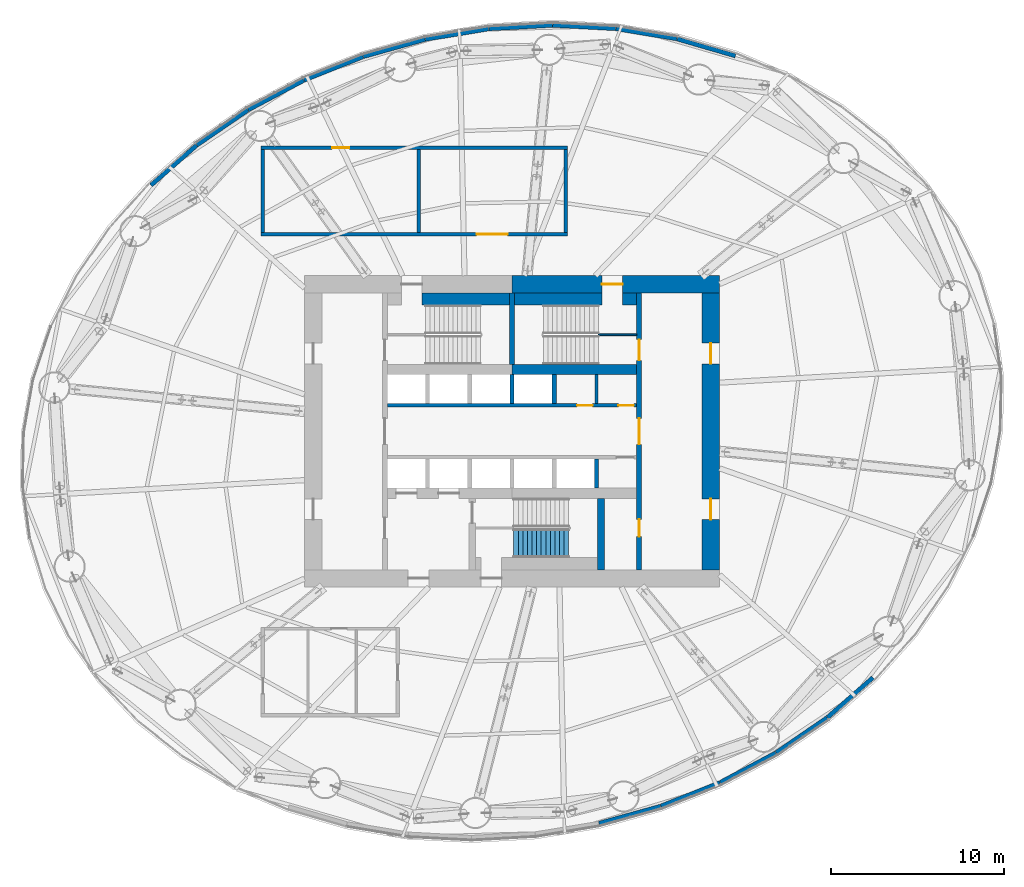
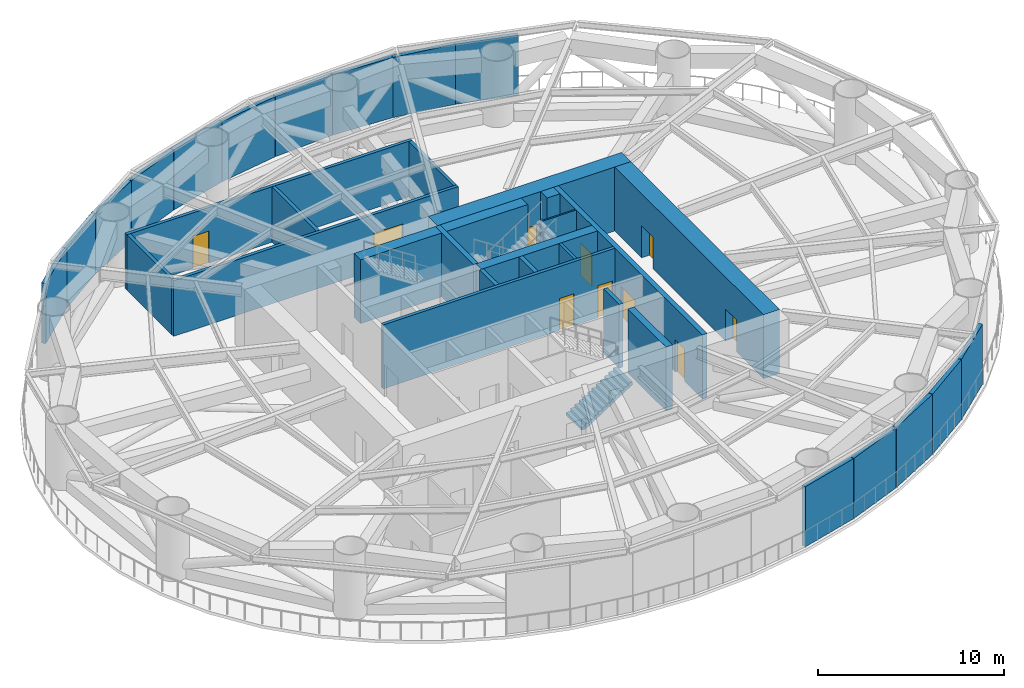
# One storey, part 6 of 15: 35 walls, 10 doors, 1 stair flight, 10 openings, 1 element without a shape of its own.
"""IFC4 building model written with IfcOpenShell, lengths in metres."""

import ifcopenshell
import ifcopenshell.guid

model = None  # the IFC model being written
_history = None  # IfcOwnerHistory: only IFC2X3 demands one
_inside = {}  # id of a spatial element -> (the spatial element, [elements in it])
_under = {}  # id of a project, library or spatial element -> (it, [spatial elements below it])
_declared = {}  # id of a project -> (the project, [libraries it declares])
_typed = {}  # id of a type object -> (the type object, [elements of that type])
_made_of = {}  # id of a material, layer set ... -> (it, [elements and type objects made of it])


def new_model(schema):
    """Start an empty IFC model of exactly this schema.

    Asked for "IFC4X3", IfcOpenShell would pick the latest addendum, in which some entities
    have other attributes; the version numbers below select the first issue.
    IFC2X3 requires an IfcOwnerHistory on every rooted entity: one is made here for all.
    """
    global model, _history
    if schema == "IFC4X3":
        model = ifcopenshell.file(schema_version=(4, 3, 0, 0))
    else:
        model = ifcopenshell.file(schema=schema)
    _inside.clear()
    _under.clear()
    _declared.clear()
    _typed.clear()
    _made_of.clear()
    _history = None
    if model.schema == "IFC2X3":
        org = make("IfcOrganization", Name="unknown")
        user = make(
            "IfcPersonAndOrganization",
            ThePerson=make("IfcPerson", FamilyName="unknown"),
            TheOrganization=org,
        )
        app = make(
            "IfcApplication",
            ApplicationDeveloper=org,
            Version="unknown",
            ApplicationFullName="unknown",
            ApplicationIdentifier="unknown",
        )
        _history = make(
            "IfcOwnerHistory",
            OwningUser=user,
            OwningApplication=app,
            ChangeAction="ADDED",
            CreationDate=0,
        )
    return model


def make(cls, **values):
    """One entity of the class cls with the attributes given. An attribute that is None is left unset."""
    return model.create_entity(
        cls, **{name: value for name, value in values.items() if value is not None}
    )


def rooted(cls, **values):
    """An entity with a GlobalId (a new one), such as an element, a storey or a relation."""
    return make(cls, GlobalId=ifcopenshell.guid.new(), OwnerHistory=_history, **values)


def si_unit(unit_type, name, prefix=None):
    """IfcSIUnit, for example si_unit("LENGTHUNIT", "METRE", prefix="MILLI")."""
    return make("IfcSIUnit", UnitType=unit_type, Prefix=prefix, Name=name)


def assignment(units):
    """IfcUnitAssignment: the units of a project."""
    return None if units is None else make("IfcUnitAssignment", Units=units)


def point(xyz):
    """IfcCartesianPoint."""
    return None if xyz is None else make("IfcCartesianPoint", Coordinates=xyz)


def direction(xyz):
    """IfcDirection."""
    return None if xyz is None else make("IfcDirection", DirectionRatios=xyz)


def frame(location, z_axis=None, x_axis=None):
    """IfcAxis2Placement3D, a coordinate frame: its origin and axes. An axis left out is left unset."""
    return make(
        "IfcAxis2Placement3D",
        Location=point(location),
        Axis=direction(z_axis),
        RefDirection=direction(x_axis),
    )


def frame_2d(location, x_axis=None):
    """IfcAxis2Placement2D, a coordinate frame in the plane: its origin and x axis."""
    return make(
        "IfcAxis2Placement2D", Location=point(location), RefDirection=direction(x_axis)
    )


def origin():
    """The frame at (0, 0, 0) with its axes left unset."""
    return frame((0.0, 0.0, 0.0))


def place(relative_to, where):
    """IfcLocalPlacement: puts the frame where relative to a parent placement (None: the world)."""
    return make(
        "IfcLocalPlacement", PlacementRelTo=relative_to, RelativePlacement=where
    )


def context(
    kind, dimensions, precision=None, world=None, true_north=None, identifier=None
):
    """IfcGeometricRepresentationContext, for example the 3D "Model" context."""
    return make(
        "IfcGeometricRepresentationContext",
        ContextIdentifier=identifier,
        ContextType=kind,
        CoordinateSpaceDimension=dimensions,
        Precision=precision,
        WorldCoordinateSystem=world,
        TrueNorth=true_north,
    )


def subcontext(parent, identifier, kind, view, scale=None):
    """IfcGeometricRepresentationSubContext, for example "Body" below "Model"."""
    return make(
        "IfcGeometricRepresentationSubContext",
        ContextIdentifier=identifier,
        ContextType=kind,
        ParentContext=parent,
        TargetScale=scale,
        TargetView=view,
    )


def project(units=None, contexts=None):
    """IfcProject with its units and contexts."""
    return rooted(
        "IfcProject",
        Name="project",
        RepresentationContexts=contexts,
        UnitsInContext=assignment(units),
    )


def spatial(cls, under=None, at=None, **own):
    """A site, building, storey or space (cls), placed at a placement, below another one or the project."""
    s = rooted(cls, ObjectPlacement=at, **own)
    if under is not None:
        _under.setdefault(under.id(), (under, []))[1].append(s)
    return s


def polyline(points):
    """IfcPolyline through the points."""
    return make("IfcPolyline", Points=[point(p) for p in points])


def profile(cls, at=None, kind="AREA", **sizes):
    """A parametric profile (cls). Its sizes go by their IFC names, for example OverallWidth=200.0."""
    return make(cls, ProfileType=kind, Position=at, **sizes)


def rectangle(**sizes):
    """IfcRectangleProfileDef."""
    return profile("IfcRectangleProfileDef", **sizes)


def outline(outer, holes=None, kind="AREA"):
    """IfcArbitraryClosedProfileDef: a profile drawn as a closed curve; with holes, ...WithVoids."""
    if holes is None:
        return make("IfcArbitraryClosedProfileDef", ProfileType=kind, OuterCurve=outer)
    return make(
        "IfcArbitraryProfileDefWithVoids",
        ProfileType=kind,
        OuterCurve=outer,
        InnerCurves=holes,
    )


def extrude(swept, where, along, depth):
    """IfcExtrudedAreaSolid: the profile swept, set in the frame where, extruded along a direction by depth."""
    return make(
        "IfcExtrudedAreaSolid",
        SweptArea=swept,
        Position=where,
        ExtrudedDirection=direction(along),
        Depth=depth,
    )


def shape(context_of_items, identifier, shape_type, items):
    """IfcShapeRepresentation: the items that make up one representation, for example the "Body"."""
    return make(
        "IfcShapeRepresentation",
        ContextOfItems=context_of_items,
        RepresentationIdentifier=identifier,
        RepresentationType=shape_type,
        Items=items,
    )


def material(Name=None, Category=None):
    """IfcMaterial."""
    return make("IfcMaterial", Name=Name, Category=Category)


def layer(
    of_material, thickness, ventilated=None, Name=None, Category=None, Priority=None
):
    """IfcMaterialLayer: one layer of a wall or slab, of a material (None: an air gap)."""
    return make(
        "IfcMaterialLayer",
        Material=of_material,
        LayerThickness=thickness,
        IsVentilated=ventilated,
        Name=Name,
        Category=Category,
        Priority=Priority,
    )


def layer_set(layers, Name=None):
    """IfcMaterialLayerSet."""
    return make("IfcMaterialLayerSet", MaterialLayers=layers, LayerSetName=Name)


def made_of(thing, what):
    """Note that an element or type object is made of a material, layer set ...; save() writes the relation."""
    if what is not None:
        _made_of.setdefault(what.id(), (what, []))[1].append(thing)
    return thing


def type_object(cls, material=None, **own):
    """A type object (cls), such as IfcWallType, which elements share."""
    return made_of(rooted(cls, **own), material)


def element(
    cls,
    number,
    at=None,
    inside=None,
    cuts=None,
    type_object=None,
    material=None,
    context=None,
    identifier="Body",
    shape_type=None,
    held_by="IfcProductDefinitionShape",
    body=None,
    shapes=None,
    **own,
):
    """One element of the class cls, such as IfcWall. Its Tag is "e" and its number.

    at: its placement. inside: the storey or other place that contains it. cuts: it is an
    opening in that element (IfcRelVoidsElement). A single representation is given by context,
    identifier, shape_type and body (its items); several are given by shapes. held_by: the class
    of the entity that holds the representations. save() writes the other relations.
    """
    e = rooted(cls, Tag="e%d" % number, ObjectPlacement=at, **own)
    if body is not None:
        shapes = [shape(context, identifier, shape_type, body)]
    if shapes is not None:
        e.Representation = make(held_by, Representations=shapes)
    if inside is not None:
        _inside.setdefault(inside.id(), (inside, []))[1].append(e)
    if cuts is not None:
        rooted(
            "IfcRelVoidsElement", RelatingBuildingElement=cuts, RelatedOpeningElement=e
        )
    if type_object is not None:
        _typed.setdefault(type_object.id(), (type_object, []))[1].append(e)
    return made_of(e, material)


def fill(opening, filler):
    """IfcRelFillsElement: the door or window that sits in an opening."""
    return rooted(
        "IfcRelFillsElement",
        RelatingOpeningElement=opening,
        RelatedBuildingElement=filler,
    )


def aggregate(whole, parts):
    """IfcRelAggregates: a whole, such as a stair, and the parts it consists of."""
    return rooted("IfcRelAggregates", RelatingObject=whole, RelatedObjects=parts)


def save(model, path):
    """Write the relations noted so far, then the file.

    IfcRelAggregates (storeys below a building ...), IfcRelContainedInSpatialStructure (elements
    in a storey), IfcRelDefinesByType, IfcRelAssociatesMaterial and IfcRelDeclares: one each for
    every whole, place, type object, material and project.
    """
    for whole, parts in _under.values():
        aggregate(whole, parts)
    for where, things in _inside.values():
        rooted(
            "IfcRelContainedInSpatialStructure",
            RelatedElements=things,
            RelatingStructure=where,
        )
    for kind, things in _typed.values():
        rooted("IfcRelDefinesByType", RelatedObjects=things, RelatingType=kind)
    for what, things in _made_of.values():
        rooted("IfcRelAssociatesMaterial", RelatedObjects=things, RelatingMaterial=what)
    for by, libraries in _declared.values():
        rooted("IfcRelDeclares", RelatingContext=by, RelatedDefinitions=libraries)
    model.write(path)


model = new_model("IFC4")

# Units and contexts
model_context = context("Model", 3, precision=1e-05, world=origin(), true_north=direction((0.0, 1.0)))
body_context = subcontext(model_context, "Body", "Model", "MODEL_VIEW")
ifc_project = project(units=[si_unit("LENGTHUNIT", "METRE"), si_unit("AREAUNIT", "SQUARE_METRE"), si_unit("VOLUMEUNIT", "CUBIC_METRE"), si_unit("PLANEANGLEUNIT", "RADIAN"), si_unit("MASSUNIT", "GRAM", prefix="KILO")], contexts=[model_context])

# Site, building, storey
site_placement = place(None, origin())
site = spatial("IfcSite", under=ifc_project, at=site_placement, CompositionType="ELEMENT")
building_placement = place(site_placement, origin())
building = spatial("IfcBuilding", under=site, at=building_placement, Name="Vermilion Reach Broadcast Tower", CompositionType="ELEMENT")
storey_placement = place(building_placement, frame((0.0, 0.0, 84.10009765625)))
storey = spatial("IfcBuildingStorey", under=building, at=storey_placement, Name="L18", CompositionType="ELEMENT", Elevation=84.10009765625)

# Wall, openings, doors
ifc_material_1 = material(Name="Concrete C70", Category="concrete")
ifc_layer_1 = layer(ifc_material_1, 0.300048828125)
ifc_layer_set_1 = layer_set([ifc_layer_1], Name="Core inner wall 300 mm Concrete C70")
wall_type_1 = type_object("IfcWallType", Name="Core inner wall 300 mm Concrete C70", PredefinedType="SHEAR", material=ifc_layer_set_1)
wall_1_placement = place(storey_placement, frame((1.35009765625, -8.0, 0.0), z_axis=(0.0, 0.0, 1.0), x_axis=(0.0, 1.0, 0.0)))
wall_1 = element("IfcWall", 1, at=wall_1_placement, inside=storey, type_object=wall_type_1, Name="L18 core wall ewE", PredefinedType="SHEAR", context=body_context, shape_type="SweptSolid", body=[
    extrude(rectangle(XDim=16.0, YDim=0.300048828125, at=frame_2d((8.0, 0.0))), origin(), (0.0, 0.0, 1.0), 4.199951171875),
])
opening_1_placement = place(wall_1_placement, frame((12.110107421875, 0.0, 0.0)))
opening_1 = element("IfcOpeningElement", 2, at=opening_1_placement, cuts=wall_1, Name="Opening D01", PredefinedType="OPENING", context=body_context, shape_type="SweptSolid", body=[
    extrude(rectangle(XDim=1.199951171875, YDim=2.10009765625, at=frame_2d((0.60009765625, 1.050048828125))), frame((0.0, 0.159912109375, 0.0), z_axis=(0.0, -1.0, 0.0), x_axis=(1.0, 0.0, 0.0)), (0.0, 0.0, 1.0), 0.320068359375),
])
opening_2_placement = place(wall_1_placement, frame((1.909912109375, 0.0, 0.0)))
opening_2 = element("IfcOpeningElement", 3, at=opening_2_placement, cuts=wall_1, Name="Opening D05", PredefinedType="OPENING", context=body_context, shape_type="SweptSolid", body=[
    extrude(rectangle(XDim=1.0, YDim=2.10009765625, at=frame_2d((0.5, 1.050048828125))), frame((0.0, 0.159912109375, 0.0), z_axis=(0.0, -1.0, 0.0), x_axis=(1.0, 0.0, 0.0)), (0.0, 0.0, 1.0), 0.320068359375),
])
opening_3_placement = place(wall_1_placement, frame((7.25, 0.0, 0.0)))
opening_3 = element("IfcOpeningElement", 4, at=opening_3_placement, cuts=wall_1, Name="Opening D04", PredefinedType="OPENING", context=body_context, shape_type="SweptSolid", body=[
    extrude(rectangle(XDim=1.5, YDim=2.10009765625, at=frame_2d((0.75, 1.050048828125))), frame((0.0, 0.159912109375, 0.0), z_axis=(0.0, -1.0, 0.0), x_axis=(1.0, 0.0, 0.0)), (0.0, 0.0, 1.0), 0.320068359375),
])
ifc_material_2 = material(Name="Painted steel fire door", Category="steel")
door_type_1 = type_object("IfcDoorType", Name="Lift lobby door 1500 x 2100", OperationType="DOUBLE_DOOR_SINGLE_SWING", PredefinedType="NOTDEFINED", material=ifc_material_2)
door_1_placement = place(opening_3_placement, origin())
door_1 = element("IfcDoor", 5, at=door_1_placement, inside=storey, type_object=door_type_1, Name="L18 band door BE", OperationType="DOUBLE_DOOR_SINGLE_SWING", OverallHeight=2.10009765625, OverallWidth=1.5, PredefinedType="NOTDEFINED", context=body_context, shape_type="SweptSolid", body=[
    extrude(rectangle(XDim=1.5, YDim=2.10009765625, at=frame_2d((0.75, 1.050048828125))), frame((0.0, 0.02490234375, 0.0), z_axis=(0.0, -1.0, 0.0), x_axis=(1.0, 0.0, 0.0)), (0.0, 0.0, 1.0), 0.050048828125),
])
fill(opening_3, door_1)
ifc_material_3 = material(Name="Timber door", Category="wood")
door_type_2 = type_object("IfcDoorType", Name="Room door 1000 x 2100", OperationType="NOTDEFINED", PredefinedType="NOTDEFINED", material=ifc_material_3)
door_2_placement = place(opening_2_placement, origin())
door_2 = element("IfcDoor", 6, at=door_2_placement, inside=storey, type_object=door_type_2, Name="L18 door SER", OperationType="SINGLE_SWING_LEFT", OverallHeight=2.10009765625, OverallWidth=1.0, PredefinedType="NOTDEFINED", context=body_context, shape_type="SweptSolid", body=[
    extrude(rectangle(XDim=1.0, YDim=2.10009765625, at=frame_2d((0.5, 1.050048828125))), frame((0.0, 0.02490234375, 0.0), z_axis=(0.0, -1.0, 0.0), x_axis=(1.0, 0.0, 0.0)), (0.0, 0.0, 1.0), 0.050048828125),
])
fill(opening_2, door_2)
ifc_material_4 = material(Name="Painted steel fire door", Category="steel")
door_type_3 = type_object("IfcDoorType", Name="Stair door 1200 x 2100", OperationType="DOUBLE_DOOR_SINGLE_SWING", PredefinedType="NOTDEFINED", material=ifc_material_4)
door_3_placement = place(opening_1_placement, origin())
door_3 = element("IfcDoor", 7, at=door_3_placement, inside=storey, type_object=door_type_3, Name="L18 stair door ST2 arrival", OperationType="DOUBLE_DOOR_SINGLE_SWING", OverallHeight=2.10009765625, OverallWidth=1.199951171875, PredefinedType="NOTDEFINED", context=body_context, shape_type="SweptSolid", body=[
    extrude(rectangle(XDim=1.199951171875, YDim=2.10009765625, at=frame_2d((0.60009765625, 1.050048828125))), frame((0.0, 0.02490234375, 0.0), z_axis=(0.0, -1.0, 0.0), x_axis=(1.0, 0.0, 0.0)), (0.0, 0.0, 1.0), 0.050048828125),
])
fill(opening_1, door_3)

# Walls
wall_2_placement = place(storey_placement, frame((-6.0, 3.8798828125, 0.0), z_axis=(0.0, 0.0, 1.0), x_axis=(0.0, 1.0, 0.0)))
element("IfcWall", 8, at=wall_2_placement, inside=storey, type_object=wall_type_1, Name="L18 core wall wc", PredefinedType="SHEAR", context=body_context, shape_type="SweptSolid", body=[
    extrude(rectangle(XDim=4.1201171875, YDim=0.300048828125, at=frame_2d((2.06005859375, 0.0))), origin(), (0.0, 0.0, 1.0), 4.199951171875),
])
ifc_material_5 = material(Name="Concrete C70", Category="concrete")
ifc_layer_2 = layer(ifc_material_5, 0.39990234375)
ifc_layer_set_2 = layer_set([ifc_layer_2], Name="Core inner wall 400 mm Concrete C70")
wall_type_2 = type_object("IfcWallType", Name="Core inner wall 400 mm Concrete C70", PredefinedType="SHEAR", material=ifc_layer_set_2)
wall_3_placement = place(storey_placement, frame((-0.85009765625, -3.8798828125, 0.0), z_axis=(0.0, 0.0, 1.0), x_axis=(0.0, -1.0, 0.0)))
element("IfcWall", 9, at=wall_3_placement, inside=storey, type_object=wall_type_2, Name="L18 core wall wb", PredefinedType="SHEAR", context=body_context, shape_type="SweptSolid", body=[
    extrude(rectangle(XDim=4.1201171875, YDim=0.39990234375, at=frame_2d((2.06005859375, 0.0))), origin(), (0.0, 0.0, 1.0), 4.199951171875),
])
ifc_material_6 = material(Name="Concrete C70", Category="concrete")
ifc_layer_3 = layer(ifc_material_6, 0.60009765625)
ifc_layer_set_3 = layer_set([ifc_layer_3], Name="Core inner wall 600 mm Concrete C70")
wall_type_3 = type_object("IfcWallType", Name="Core inner wall 600 mm Concrete C70", PredefinedType="SHEAR", material=ifc_layer_set_3)
wall_4_placement = place(storey_placement, frame((-6.0, 3.580078125, 0.0), z_axis=(0.0, 0.0, 1.0), x_axis=(1.0, 0.0, 0.0)))
element("IfcWall", 10, at=wall_4_placement, inside=storey, type_object=wall_type_3, Name="L18 core wall winE", PredefinedType="SHEAR", context=body_context, shape_type="SweptSolid", body=[
    extrude(rectangle(XDim=7.199951171875, YDim=0.60009765625, at=frame_2d((3.60009765625, 0.0))), origin(), (0.0, 0.0, 1.0), 4.199951171875),
])

# Wall, opening, door
ifc_material_7 = material(Name="Concrete C70", Category="concrete")
ifc_layer_4 = layer(ifc_material_7, 1.0)
ifc_layer_set_4 = layer_set([ifc_layer_4], Name="Core outer wall 1000 mm Concrete C70")
wall_type_4 = type_object("IfcWallType", Name="Core outer wall 1000 mm Concrete C70", PredefinedType="SHEAR", material=ifc_layer_set_4)
wall_5_placement = place(storey_placement, frame((6.0, 8.5, 0.0), z_axis=(0.0, 0.0, 1.0), x_axis=(-1.0, 0.0, 0.0)))
wall_5 = element("IfcWall", 11, at=wall_5_placement, inside=storey, type_object=wall_type_4, Name="L18 core wall onE", PredefinedType="SHEAR", context=body_context, shape_type="SweptSolid", body=[
    extrude(rectangle(XDim=12.0, YDim=1.0, at=frame_2d((6.0, 0.0))), origin(), (0.0, 0.0, 1.0), 4.199951171875),
])
opening_4_placement = place(wall_5_placement, frame((5.60009765625, 0.0, 0.0)))
opening_4 = element("IfcOpeningElement", 12, at=opening_4_placement, cuts=wall_5, Name="Opening D01", PredefinedType="OPENING", context=body_context, shape_type="SweptSolid", body=[
    extrude(rectangle(XDim=1.199951171875, YDim=2.10009765625, at=frame_2d((0.60009765625, 1.050048828125))), frame((0.0, 0.510009765625, 0.0), z_axis=(0.0, -1.0, 0.0), x_axis=(1.0, 0.0, 0.0)), (0.0, 0.0, 1.0), 1.02001953125),
])
door_4_placement = place(opening_4_placement, origin())
door_4 = element("IfcDoor", 13, at=door_4_placement, inside=storey, type_object=door_type_3, Name="L18 stair door ST2 departure", OperationType="DOUBLE_DOOR_SINGLE_SWING", OverallHeight=2.10009765625, OverallWidth=1.199951171875, PredefinedType="NOTDEFINED", context=body_context, shape_type="SweptSolid", body=[
    extrude(rectangle(XDim=1.199951171875, YDim=2.10009765625, at=frame_2d((0.60009765625, 1.050048828125))), frame((0.0, 0.02490234375, 0.0), z_axis=(0.0, -1.0, 0.0), x_axis=(1.0, 0.0, 0.0)), (0.0, 0.0, 1.0), 0.050048828125),
])
fill(opening_4, door_4)

# Wall, openings, doors
wall_6_placement = place(storey_placement, frame((5.5, -8.0, 0.0), z_axis=(0.0, 0.0, 1.0), x_axis=(0.0, 1.0, 0.0)))
wall_6 = element("IfcWall", 14, at=wall_6_placement, inside=storey, type_object=wall_type_4, Name="L18 core wall oe", PredefinedType="SHEAR", context=body_context, shape_type="SweptSolid", body=[
    extrude(rectangle(XDim=16.0, YDim=1.0, at=frame_2d((8.0, 0.0))), origin(), (0.0, 0.0, 1.0), 4.199951171875),
])
opening_5_placement = place(wall_6_placement, frame((2.89990234375, 0.0, 0.0)))
opening_5 = element("IfcOpeningElement", 15, at=opening_5_placement, cuts=wall_6, Name="Opening D03", PredefinedType="OPENING", context=body_context, shape_type="SweptSolid", body=[
    extrude(rectangle(XDim=1.199951171875, YDim=2.10009765625, at=frame_2d((0.60009765625, 1.050048828125))), frame((0.0, 0.510009765625, 0.0), z_axis=(0.0, -1.0, 0.0), x_axis=(1.0, 0.0, 0.0)), (0.0, 0.0, 1.0), 1.02001953125),
])
opening_6_placement = place(wall_6_placement, frame((11.89990234375, 0.0, 0.0)))
opening_6 = element("IfcOpeningElement", 16, at=opening_6_placement, cuts=wall_6, Name="Opening D03", PredefinedType="OPENING", context=body_context, shape_type="SweptSolid", body=[
    extrude(rectangle(XDim=1.199951171875, YDim=2.10009765625, at=frame_2d((0.60009765625, 1.050048828125))), frame((0.0, 0.510009765625, 0.0), z_axis=(0.0, -1.0, 0.0), x_axis=(1.0, 0.0, 0.0)), (0.0, 0.0, 1.0), 1.02001953125),
])
ifc_material_8 = material(Name="Painted steel fire door", Category="steel")
door_type_4 = type_object("IfcDoorType", Name="Core lobby door 1200 x 2100", OperationType="DOUBLE_DOOR_SINGLE_SWING", PredefinedType="NOTDEFINED", material=ifc_material_8)
door_5_placement = place(opening_5_placement, origin())
door_5 = element("IfcDoor", 17, at=door_5_placement, inside=storey, type_object=door_type_4, Name="L18 slot door E0", OperationType="DOUBLE_DOOR_SINGLE_SWING", OverallHeight=2.10009765625, OverallWidth=1.199951171875, PredefinedType="NOTDEFINED", context=body_context, shape_type="SweptSolid", body=[
    extrude(rectangle(XDim=1.199951171875, YDim=2.10009765625, at=frame_2d((0.60009765625, 1.050048828125))), frame((0.0, 0.02490234375, 0.0), z_axis=(0.0, -1.0, 0.0), x_axis=(1.0, 0.0, 0.0)), (0.0, 0.0, 1.0), 0.050048828125),
])
fill(opening_5, door_5)
door_6_placement = place(opening_6_placement, origin())
door_6 = element("IfcDoor", 18, at=door_6_placement, inside=storey, type_object=door_type_4, Name="L18 slot door E1", OperationType="DOUBLE_DOOR_SINGLE_SWING", OverallHeight=2.10009765625, OverallWidth=1.199951171875, PredefinedType="NOTDEFINED", context=body_context, shape_type="SweptSolid", body=[
    extrude(rectangle(XDim=1.199951171875, YDim=2.10009765625, at=frame_2d((0.60009765625, 1.050048828125))), frame((0.0, 0.02490234375, 0.0), z_axis=(0.0, -1.0, 0.0), x_axis=(1.0, 0.0, 0.0)), (0.0, 0.0, 1.0), 0.050048828125),
])
fill(opening_6, door_6)

# Wall
ifc_material_9 = material(Name="Masonry block", Category="masonry")
ifc_layer_5 = layer(ifc_material_9, 0.14990234375)
ifc_layer_set_5 = layer_set([ifc_layer_5], Name="Core partition wall 150 mm Masonry block")
wall_type_5 = type_object("IfcWallType", Name="Core partition wall 150 mm Masonry block", PredefinedType="PARTITIONING", material=ifc_layer_set_5)
wall_7_placement = place(storey_placement, frame((-1.11669921875, 1.60009765625, 0.0), z_axis=(0.0, 0.0, 1.0), x_axis=(0.0, 1.0, 0.0)))
element("IfcWall", 19, at=wall_7_placement, inside=storey, type_object=wall_type_5, Name="L18 core wall prN4883", PredefinedType="PARTITIONING", context=body_context, shape_type="SweptSolid", body=[
    extrude(rectangle(XDim=1.679931640625, YDim=0.14990234375, at=frame_2d((0.83984375, 0.0))), origin(), (0.0, 0.0, 1.0), 4.199951171875),
])

# Wall, openings, doors
ifc_material_10 = material(Name="Concrete C50", Category="concrete")
ifc_layer_6 = layer(ifc_material_10, 0.199951171875)
ifc_layer_set_6 = layer_set([ifc_layer_6], Name="Core shaft wall 200 mm Concrete C50")
wall_type_6 = type_object("IfcWallType", Name="Core shaft wall 200 mm Concrete C50", PredefinedType="SHEAR", material=ifc_layer_set_6)
wall_8_placement = place(storey_placement, frame((-13.199951171875, 1.5, 0.0), z_axis=(0.0, 0.0, 1.0), x_axis=(1.0, 0.0, 0.0)))
wall_8 = element("IfcWall", 20, at=wall_8_placement, inside=storey, type_object=wall_type_6, Name="L18 core wall fn", PredefinedType="SHEAR", context=body_context, shape_type="SweptSolid", body=[
    extrude(rectangle(XDim=14.39990234375, YDim=0.199951171875, at=frame_2d((7.199951171875, 0.0))), origin(), (0.0, 0.0, 1.0), 4.199951171875),
])
opening_7_placement = place(wall_8_placement, frame((10.958251953125, 0.0, 0.0)))
opening_7 = element("IfcOpeningElement", 21, at=opening_7_placement, cuts=wall_8, Name="Opening D06", PredefinedType="OPENING", context=body_context, shape_type="SweptSolid", body=[
    extrude(rectangle(XDim=0.89990234375, YDim=2.10009765625, at=frame_2d((0.449951171875, 1.050048828125))), frame((0.0, 0.10986328125, 0.0), z_axis=(0.0, -1.0, 0.0), x_axis=(1.0, 0.0, 0.0)), (0.0, 0.0, 1.0), 0.219970703125),
])
opening_8_placement = place(wall_8_placement, frame((13.35009765625, 0.0, 0.0)))
opening_8 = element("IfcOpeningElement", 22, at=opening_8_placement, cuts=wall_8, Name="Opening D06", PredefinedType="OPENING", context=body_context, shape_type="SweptSolid", body=[
    extrude(rectangle(XDim=0.89990234375, YDim=2.10009765625, at=frame_2d((0.449951171875, 1.050048828125))), frame((0.0, 0.10986328125, 0.0), z_axis=(0.0, -1.0, 0.0), x_axis=(1.0, 0.0, 0.0)), (0.0, 0.0, 1.0), 0.219970703125),
])
ifc_material_11 = material(Name="Timber door", Category="wood")
door_type_5 = type_object("IfcDoorType", Name="WC door 900 x 2100", OperationType="NOTDEFINED", PredefinedType="NOTDEFINED", material=ifc_material_11)
door_7_placement = place(opening_7_placement, origin())
door_7 = element("IfcDoor", 23, at=door_7_placement, inside=storey, type_object=door_type_5, Name="L18 door Female WC", OperationType="SINGLE_SWING_RIGHT", OverallHeight=2.10009765625, OverallWidth=0.89990234375, PredefinedType="NOTDEFINED", context=body_context, shape_type="SweptSolid", body=[
    extrude(rectangle(XDim=0.89990234375, YDim=2.10009765625, at=frame_2d((0.449951171875, 1.050048828125))), frame((0.0, 0.02490234375, 0.0), z_axis=(0.0, -1.0, 0.0), x_axis=(1.0, 0.0, 0.0)), (0.0, 0.0, 1.0), 0.050048828125),
])
fill(opening_7, door_7)
door_8_placement = place(opening_8_placement, origin())
door_8 = element("IfcDoor", 24, at=door_8_placement, inside=storey, type_object=door_type_5, Name="L18 door Male WC", OperationType="SINGLE_SWING_RIGHT", OverallHeight=2.10009765625, OverallWidth=0.89990234375, PredefinedType="NOTDEFINED", context=body_context, shape_type="SweptSolid", body=[
    extrude(rectangle(XDim=0.89990234375, YDim=2.10009765625, at=frame_2d((0.449951171875, 1.050048828125))), frame((0.0, 0.02490234375, 0.0), z_axis=(0.0, -1.0, 0.0), x_axis=(1.0, 0.0, 0.0)), (0.0, 0.0, 1.0), 0.050048828125),
])
fill(opening_8, door_8)

# Walls
ifc_material_12 = material(Name="Concrete C50", Category="concrete")
ifc_layer_7 = layer(ifc_material_12, 0.25)
ifc_layer_set_7 = layer_set([ifc_layer_7], Name="Core shaft wall 250 mm Concrete C50")
wall_type_7 = type_object("IfcWallType", Name="Core shaft wall 250 mm Concrete C50", PredefinedType="SHEAR", material=ifc_layer_set_7)
for number, where, z_axis, x_axis, name in (
    (25, (-6.0, 1.60009765625, 0.0), (0.0, 0.0, 1.0), (0.0, 1.0, 0.0), "L18 core wall psN2"),
    (26, (-3.558349609375, 1.60009765625, 0.0), (0.0, 0.0, 1.0), (0.0, 1.0, 0.0), "L18 core wall psN3"),
    (27, (-1.11669921875, -1.60009765625, 0.0), (0.0, 0.0, 1.0), (0.0, -1.0, 0.0), "L18 core wall psS4"),
):
    element("IfcWall", number, at=place(storey_placement, frame(where, z_axis=z_axis, x_axis=x_axis)), inside=storey, type_object=wall_type_7, Name=name, PredefinedType="SHEAR", context=body_context, shape_type="SweptSolid", body=[
        extrude(rectangle(XDim=1.679931640625, YDim=0.25, at=frame_2d((0.83984375, 0.0))), origin(), (0.0, 0.0, 1.0), 4.199951171875),
    ])
ifc_material_13 = material(Name="Concrete C70", Category="concrete")
ifc_layer_8 = layer(ifc_material_13, 0.10009765625)
ifc_layer_set_8 = layer_set([ifc_layer_8], Name="Core stair wall 100 mm Concrete C70")
wall_type_8 = type_object("IfcWallType", Name="Core stair wall 100 mm Concrete C70", PredefinedType="SHEAR", material=ifc_layer_set_8)
wall_9_placement = place(storey_placement, frame((1.199951171875, 5.590087890625, 0.0), z_axis=(0.0, 0.0, 1.0), x_axis=(-1.0, 0.0, 0.0)))
element("IfcWall", 28, at=wall_9_placement, inside=storey, type_object=wall_type_8, Name="L18 core wall dv2", PredefinedType="SHEAR", context=body_context, shape_type="SweptSolid", body=[
    extrude(rectangle(XDim=2.199951171875, YDim=0.10009765625, at=frame_2d((1.10009765625, 0.0))), origin(), (0.0, 0.0, 1.0), 4.199951171875),
])
ifc_material_14 = material(Name="Concrete C70", Category="concrete")
ifc_layer_9 = layer(ifc_material_14, 0.699951171875)
ifc_layer_set_9 = layer_set([ifc_layer_9], Name="Core stair wall 700 mm Concrete C70")
wall_type_9 = type_object("IfcWallType", Name="Core stair wall 700 mm Concrete C70", PredefinedType="SHEAR", material=ifc_layer_set_9)
for number, where, z_axis, x_axis, name in (
    (29, (-11.199951171875, 7.64990234375, 0.0), (0.0, 0.0, 1.0), (1.0, 0.0, 0.0), "L18 core wall l1b"),
    (30, (-5.85009765625, 7.64990234375, 0.0), (0.0, 0.0, 1.0), (1.0, 0.0, 0.0), "L18 core wall l2a"),
):
    element("IfcWall", number, at=place(storey_placement, frame(where, z_axis=z_axis, x_axis=x_axis)), inside=storey, type_object=wall_type_9, Name=name, PredefinedType="SHEAR", context=body_context, shape_type="SweptSolid", body=[
        extrude(rectangle(XDim=5.050048828125, YDim=0.699951171875, at=frame_2d((2.52490234375, 0.0))), origin(), (0.0, 0.0, 1.0), 4.199951171875),
    ])
wall_10_placement = place(storey_placement, frame((0.39990234375, 7.64990234375, 0.0), z_axis=(0.0, 0.0, 1.0), x_axis=(1.0, 0.0, 0.0)))
element("IfcWall", 31, at=wall_10_placement, inside=storey, type_object=wall_type_9, Name="L18 core wall l2b", PredefinedType="SHEAR", context=body_context, shape_type="SweptSolid", body=[
    extrude(rectangle(XDim=0.800048828125, YDim=0.699951171875, at=frame_2d((0.39990234375, 0.0))), origin(), (0.0, 0.0, 1.0), 4.199951171875),
])
ifc_material_15 = material(Name="Anodised aluminium louvre cladding", Category="aluminium")
ifc_layer_10 = layer(ifc_material_15, 0.25)
ifc_layer_set_10 = layer_set([ifc_layer_10], Name="Plant louvre wall 250")
wall_type_10 = type_object("IfcWallType", Name="Plant louvre wall 250", PredefinedType="SOLIDWALL", material=ifc_layer_set_10)
wall_11_placement = place(storey_placement, frame((6.915283203125, 21.715087890625, 0.0), z_axis=(0.0, 0.0, 1.0), x_axis=(-0.960188833613, 0.279351756401, 0.0)))
element("IfcWall", 32, at=wall_11_placement, inside=storey, type_object=wall_type_10, Name="Refuge louvre wall L18 07", PredefinedType="SOLIDWALL", context=body_context, shape_type="SweptSolid", body=[
    extrude(rectangle(XDim=3.500244140625, YDim=0.25, at=frame_2d((1.75, 0.0))), origin(), (0.0, 0.0, 1.0), 3.949951171875),
])
wall_12_placement = place(storey_placement, frame((3.532470703125, 22.697998046875, 0.0), z_axis=(0.0, 0.0, 1.0), x_axis=(-0.986227312358, 0.165395551207, 0.0)))
element("IfcWall", 33, at=wall_12_placement, inside=storey, type_object=wall_type_10, Name="Refuge louvre wall L18 08", PredefinedType="SOLIDWALL", context=body_context, shape_type="SweptSolid", body=[
    extrude(rectangle(XDim=3.5751953125, YDim=0.25, at=frame_2d((1.78759765625, 0.0))), origin(), (0.0, 0.0, 1.0), 3.949951171875),
])
wall_13_placement = place(storey_placement, frame((-0.01513671875, 23.291748046875, 0.0), z_axis=(0.0, 0.0, 1.0), x_axis=(-0.998569925552, 0.053461236262, 0.0)))
element("IfcWall", 34, at=wall_13_placement, inside=storey, type_object=wall_type_10, Name="Refuge louvre wall L18 09", PredefinedType="SOLIDWALL", context=body_context, shape_type="SweptSolid", body=[
    extrude(rectangle(XDim=3.635009765625, YDim=0.25, at=frame_2d((1.8173828125, 0.0))), origin(), (0.0, 0.0, 1.0), 3.949951171875),
])
wall_14_placement = place(storey_placement, frame((-3.666748046875, 23.486083984375, 0.0), z_axis=(0.0, 0.0, 1.0), x_axis=(-0.998420665682, -0.056179839253, 0.0)))
element("IfcWall", 35, at=wall_14_placement, inside=storey, type_object=wall_type_10, Name="Refuge louvre wall L18 10", PredefinedType="SOLIDWALL", context=body_context, shape_type="SweptSolid", body=[
    extrude(rectangle(XDim=3.676513671875, YDim=0.25, at=frame_2d((1.83837890625, 0.0))), origin(), (0.0, 0.0, 1.0), 3.949951171875),
])
for number, where, z_axis, x_axis, name in (
    (36, (-7.35888671875, 23.277099609375, 0.0), (0.0, 0.0, 1.0), (-0.986548722152, -0.163467485515, 0.0), "Refuge louvre wall L18 11"),
    (37, (-11.028076171875, 22.668212890625, 0.0), (0.0, 0.0, 1.0), (-0.963370210368, -0.26817501333, 0.0), "Refuge louvre wall L18 12"),
):
    element("IfcWall", number, at=place(storey_placement, frame(where, z_axis=z_axis, x_axis=x_axis)), inside=storey, type_object=wall_type_10, Name=name, PredefinedType="SOLIDWALL", context=body_context, shape_type="SweptSolid", body=[
        extrude(rectangle(XDim=3.697998046875, YDim=0.25, at=frame_2d((1.84912109375, 0.0))), origin(), (0.0, 0.0, 1.0), 3.949951171875),
    ])
wall_15_placement = place(storey_placement, frame((-14.611083984375, 21.669677734375, 0.0), z_axis=(0.0, 0.0, 1.0), x_axis=(-0.928870017824, -0.370405844969, 0.0)))
element("IfcWall", 38, at=wall_15_placement, inside=storey, type_object=wall_type_10, Name="Refuge louvre wall L18 13", PredefinedType="SOLIDWALL", context=body_context, shape_type="SweptSolid", body=[
    extrude(rectangle(XDim=3.676513671875, YDim=0.25, at=frame_2d((1.83837890625, 0.0))), origin(), (0.0, 0.0, 1.0), 3.949951171875),
])
wall_16_placement = place(storey_placement, frame((-18.0458984375, 20.298828125, 0.0), z_axis=(0.0, 0.0, 1.0), x_axis=(-0.882759788873, -0.469824600408, 0.0)))
element("IfcWall", 39, at=wall_16_placement, inside=storey, type_object=wall_type_10, Name="Refuge louvre wall L18 14", PredefinedType="SOLIDWALL", context=body_context, shape_type="SweptSolid", body=[
    extrude(rectangle(XDim=3.635009765625, YDim=0.25, at=frame_2d((1.8173828125, 0.0))), origin(), (0.0, 0.0, 1.0), 3.949951171875),
])
wall_17_placement = place(storey_placement, frame((-21.2734375, 18.57958984375, 0.0), z_axis=(0.0, 0.0, 1.0), x_axis=(-0.824269010653, -0.566198373432, 0.0)))
element("IfcWall", 40, at=wall_17_placement, inside=storey, type_object=wall_type_10, Name="Refuge louvre wall L18 15", PredefinedType="SOLIDWALL", context=body_context, shape_type="SweptSolid", body=[
    extrude(rectangle(XDim=3.574951171875, YDim=0.25, at=frame_2d((1.78759765625, 0.0))), origin(), (0.0, 0.0, 1.0), 3.949951171875),
])
wall_18_placement = place(storey_placement, frame((-24.238037109375, 16.54150390625, 0.0), z_axis=(0.0, 0.0, 1.0), x_axis=(-0.752650141407, -0.658420659335, 0.0)))
element("IfcWall", 41, at=wall_18_placement, inside=storey, type_object=wall_type_10, Name="Refuge louvre wall L18 16", PredefinedType="SOLIDWALL", context=body_context, shape_type="SweptSolid", body=[
    extrude(rectangle(XDim=3.500244140625, YDim=0.25, at=frame_2d((1.75, 0.0))), origin(), (0.0, 0.0, 1.0), 3.949951171875),
])
wall_19_placement = place(storey_placement, frame((-0.971923828125, -22.668212890625, 0.0), z_axis=(0.0, 0.0, 1.0), x_axis=(0.963370210368, 0.26817501333, 0.0)))
element("IfcWall", 42, at=wall_19_placement, inside=storey, type_object=wall_type_10, Name="Refuge louvre wall L18 36", PredefinedType="SOLIDWALL", context=body_context, shape_type="SweptSolid", body=[
    extrude(rectangle(XDim=3.697998046875, YDim=0.25, at=frame_2d((1.84912109375, 0.0))), origin(), (0.0, 0.0, 1.0), 3.949951171875),
])
wall_20_placement = place(storey_placement, frame((2.611083984375, -21.669677734375, 0.0), z_axis=(0.0, 0.0, 1.0), x_axis=(0.928870017824, 0.370405844969, 0.0)))
element("IfcWall", 43, at=wall_20_placement, inside=storey, type_object=wall_type_10, Name="Refuge louvre wall L18 37", PredefinedType="SOLIDWALL", context=body_context, shape_type="SweptSolid", body=[
    extrude(rectangle(XDim=3.676513671875, YDim=0.25, at=frame_2d((1.83837890625, 0.0))), origin(), (0.0, 0.0, 1.0), 3.949951171875),
])
wall_21_placement = place(storey_placement, frame((6.0458984375, -20.298828125, 0.0), z_axis=(0.0, 0.0, 1.0), x_axis=(0.882759788873, 0.469824600408, 0.0)))
element("IfcWall", 44, at=wall_21_placement, inside=storey, type_object=wall_type_10, Name="Refuge louvre wall L18 38", PredefinedType="SOLIDWALL", context=body_context, shape_type="SweptSolid", body=[
    extrude(rectangle(XDim=3.635009765625, YDim=0.25, at=frame_2d((1.8173828125, 0.0))), origin(), (0.0, 0.0, 1.0), 3.949951171875),
])
wall_22_placement = place(storey_placement, frame((9.2734375, -18.57958984375, 0.0), z_axis=(0.0, 0.0, 1.0), x_axis=(0.824269010653, 0.566198373432, 0.0)))
element("IfcWall", 45, at=wall_22_placement, inside=storey, type_object=wall_type_10, Name="Refuge louvre wall L18 39", PredefinedType="SOLIDWALL", context=body_context, shape_type="SweptSolid", body=[
    extrude(rectangle(XDim=3.574951171875, YDim=0.25, at=frame_2d((1.78759765625, 0.0))), origin(), (0.0, 0.0, 1.0), 3.949951171875),
])
wall_23_placement = place(storey_placement, frame((12.238037109375, -16.54150390625, 0.0), z_axis=(0.0, 0.0, 1.0), x_axis=(0.752650141407, 0.658420659335, 0.0)))
element("IfcWall", 46, at=wall_23_placement, inside=storey, type_object=wall_type_10, Name="Refuge louvre wall L18 40", PredefinedType="SOLIDWALL", context=body_context, shape_type="SweptSolid", body=[
    extrude(rectangle(XDim=3.500244140625, YDim=0.25, at=frame_2d((1.75, 0.0))), origin(), (0.0, 0.0, 1.0), 3.949951171875),
])

# Wall, opening, door
ifc_material_16 = material(Name="Gypsum board shaft wall")
ifc_layer_11 = layer(ifc_material_16, 0.199951171875)
ifc_layer_set_11 = layer_set([ifc_layer_11], Name="Plant room wall 200")
wall_type_11 = type_object("IfcWallType", Name="Plant room wall 200", PredefinedType="PARTITIONING", material=ifc_layer_set_11)
wall_24_placement = place(storey_placement, frame((-2.7998046875, 11.39990234375, 0.0), z_axis=(0.0, 0.0, 1.0), x_axis=(-1.0, 0.0, 0.0)))
wall_24 = element("IfcWall", 47, at=wall_24_placement, inside=storey, type_object=wall_type_11, Name="sp.wall.L18.000", PredefinedType="PARTITIONING", context=body_context, shape_type="SweptSolid", body=[
    extrude(rectangle(XDim=17.7001953125, YDim=0.199951171875, at=frame_2d((8.85009765625, 0.0))), origin(), (0.0, 0.0, 1.0), 3.64990234375),
])
opening_9_placement = place(wall_24_placement, frame((3.4501953125, 0.0, 0.0)))
opening_9 = element("IfcOpeningElement", 48, at=opening_9_placement, cuts=wall_24, Name="Opening D53", PredefinedType="OPENING", context=body_context, shape_type="SweptSolid", body=[
    extrude(rectangle(XDim=1.800048828125, YDim=2.39990234375, at=frame_2d((0.89990234375, 1.199951171875))), frame((0.0, 0.10986328125, 0.0), z_axis=(0.0, -1.0, 0.0), x_axis=(1.0, 0.0, 0.0)), (0.0, 0.0, 1.0), 0.219970703125),
])
ifc_material_17 = material(Name="Timber and steel door set", Category="steel")
door_type_6 = type_object("IfcDoorType", Name="Plant double door 1800x2400", OperationType="NOTDEFINED", PredefinedType="DOOR", material=ifc_material_17)
door_9_placement = place(opening_9_placement, origin())
door_9 = element("IfcDoor", 49, at=door_9_placement, inside=storey, type_object=door_type_6, Name="sp.door.L18.001", OperationType="DOUBLE_DOOR_SINGLE_SWING", OverallHeight=2.39990234375, OverallWidth=1.800048828125, PredefinedType="DOOR", context=body_context, shape_type="SweptSolid", body=[
    extrude(rectangle(XDim=1.800048828125, YDim=2.39990234375, at=frame_2d((0.89990234375, 1.199951171875))), frame((0.0, 0.02490234375, 0.0), z_axis=(0.0, -1.0, 0.0), x_axis=(1.0, 0.0, 0.0)), (0.0, 0.0, 1.0), 0.050048828125),
])
fill(opening_9, door_9)

# Wall
wall_25_placement = place(storey_placement, frame((-11.39990234375, 11.5, 0.0), z_axis=(0.0, 0.0, 1.0), x_axis=(0.0, 1.0, 0.0)))
element("IfcWall", 50, at=wall_25_placement, inside=storey, type_object=wall_type_11, Name="sp.wall.L18.002", PredefinedType="PARTITIONING", context=body_context, shape_type="SweptSolid", body=[
    extrude(rectangle(XDim=4.800048828125, YDim=0.199951171875, at=frame_2d((2.39990234375, 0.0))), origin(), (0.0, 0.0, 1.0), 3.64990234375),
])

# Wall, opening, door
wall_26_placement = place(storey_placement, frame((-2.800048828125, 16.39990234375, 0.0), z_axis=(0.0, 0.0, 1.0), x_axis=(-1.0, 0.0, 0.0)))
wall_26 = element("IfcWall", 51, at=wall_26_placement, inside=storey, type_object=wall_type_11, Name="sp.wall.L18.003", PredefinedType="PARTITIONING", context=body_context, shape_type="SweptSolid", body=[
    extrude(rectangle(XDim=17.699951171875, YDim=0.199951171875, at=frame_2d((8.85009765625, 0.0))), origin(), (0.0, 0.0, 1.0), 3.64990234375),
])
opening_10_placement = place(wall_26_placement, frame((12.60009765625, 0.0, 0.0)))
opening_10 = element("IfcOpeningElement", 52, at=opening_10_placement, cuts=wall_26, Name="Opening D54", PredefinedType="OPENING", context=body_context, shape_type="SweptSolid", body=[
    extrude(rectangle(XDim=1.0, YDim=2.10009765625, at=frame_2d((0.5, 1.050048828125))), frame((0.0, 0.10986328125, 0.0), z_axis=(0.0, -1.0, 0.0), x_axis=(1.0, 0.0, 0.0)), (0.0, 0.0, 1.0), 0.219970703125),
])
ifc_material_18 = material(Name="Timber and steel door set", Category="steel")
door_type_7 = type_object("IfcDoorType", Name="Fire door 1000x2100", OperationType="NOTDEFINED", PredefinedType="DOOR", material=ifc_material_18)
door_10_placement = place(opening_10_placement, origin())
door_10 = element("IfcDoor", 53, at=door_10_placement, inside=storey, type_object=door_type_7, Name="sp.door.L18.000", OperationType="SINGLE_SWING_RIGHT", OverallHeight=2.10009765625, OverallWidth=1.0, PredefinedType="DOOR", context=body_context, shape_type="SweptSolid", body=[
    extrude(rectangle(XDim=1.0, YDim=2.10009765625, at=frame_2d((0.5, 1.050048828125))), frame((0.0, 0.02490234375, 0.0), z_axis=(0.0, -1.0, 0.0), x_axis=(1.0, 0.0, 0.0)), (0.0, 0.0, 1.0), 0.050048828125),
])
fill(opening_10, door_10)

# Walls
for number, where, z_axis, x_axis, name in (
    (54, (-20.39990234375, 11.5, 0.0), (0.0, 0.0, 1.0), (0.0, 1.0, 0.0), "sp.wall.L18.004"),
    (55, (-2.89990234375, 11.5, 0.0), (0.0, 0.0, 1.0), (0.0, 1.0, 0.0), "sp.wall.L18.005"),
):
    element("IfcWall", number, at=place(storey_placement, frame(where, z_axis=z_axis, x_axis=x_axis)), inside=storey, type_object=wall_type_11, Name=name, PredefinedType="PARTITIONING", context=body_context, shape_type="SweptSolid", body=[
        extrude(rectangle(XDim=4.800048828125, YDim=0.199951171875, at=frame_2d((2.39990234375, 0.0))), origin(), (0.0, 0.0, 1.0), 3.64990234375),
    ])

# Stair, stair flight
ifc_material_19 = material(Name="Concrete C40", Category="concrete")
stair_type = type_object("IfcStairType", Name="Exit stair RC 26 risers 173 mm", PredefinedType="HALF_TURN_STAIR", material=ifc_material_19)
stair_placement = place(storey_placement, origin())
stair = element("IfcStair", 56, at=stair_placement, inside=storey, type_object=stair_type, Name="L18 Exit stair ST3", PredefinedType="HALF_TURN_STAIR")
ifc_material_20 = material(Name="Concrete C40", Category="concrete")
stair_flight_type = type_object("IfcStairFlightType", Name="Exit stair flight RC 13 risers", PredefinedType="STRAIGHT", material=ifc_material_20)
stair_flight_placement = place(storey_placement, frame((-5.89990234375, -6.469970703125, 0.0), z_axis=(0.0, 0.0, 1.0), x_axis=(1.0, 0.0, 0.0)))
stair_flight = element("IfcStairFlight", 57, at=stair_flight_placement, type_object=stair_flight_type, Name="ST3 flight 1", NumberOfRisers=13, NumberOfTreads=12, PredefinedType="STRAIGHT", RiserHeight=0.173076923, TreadLength=0.265, context=body_context, shape_type="SweptSolid", body=[
    extrude(outline(polyline([(0.0, 0.0), (0.0, 0.173095703125), (0.264892578125, 0.173095703125), (0.264892578125, 0.34619140625), (0.530029296875, 0.34619140625), (0.530029296875, 0.519287109375), (0.794921875, 0.519287109375), (0.794921875, 0.6923828125), (1.06005859375, 0.6923828125), (1.06005859375, 0.865478515625), (1.324951171875, 0.865478515625), (1.324951171875, 1.03857421875), (1.590087890625, 1.03857421875), (1.590087890625, 1.21142578125), (1.85498046875, 1.21142578125), (1.85498046875, 1.384521484375), (2.1201171875, 1.384521484375), (2.1201171875, 1.5576171875), (2.385009765625, 1.5576171875), (2.385009765625, 1.730712890625), (2.64990234375, 1.730712890625), (2.64990234375, 1.90380859375), (2.9150390625, 1.90380859375), (2.9150390625, 2.076904296875), (3.179931640625, 2.076904296875), (3.179931640625, 2.25), (3.179931640625, 1.89794921875), (0.274169921875, 0.0), (0.0, 0.0)])), frame((0.0, 0.830078125, 0.0), z_axis=(0.0, -1.0, 0.0), x_axis=(1.0, 0.0, 0.0)), (0.0, 0.0, 1.0), 1.659912109375),
])
aggregate(stair, [stair_flight])

save(model, "model.ifc")
